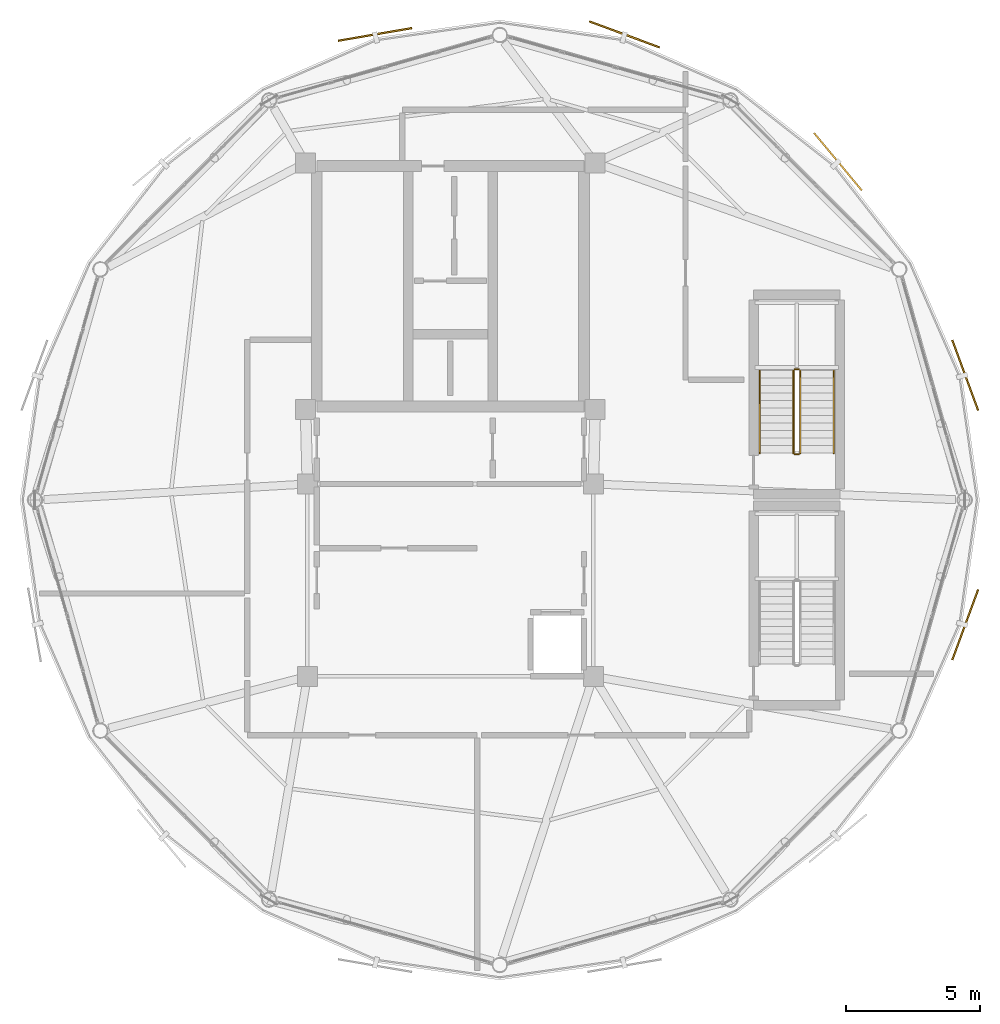
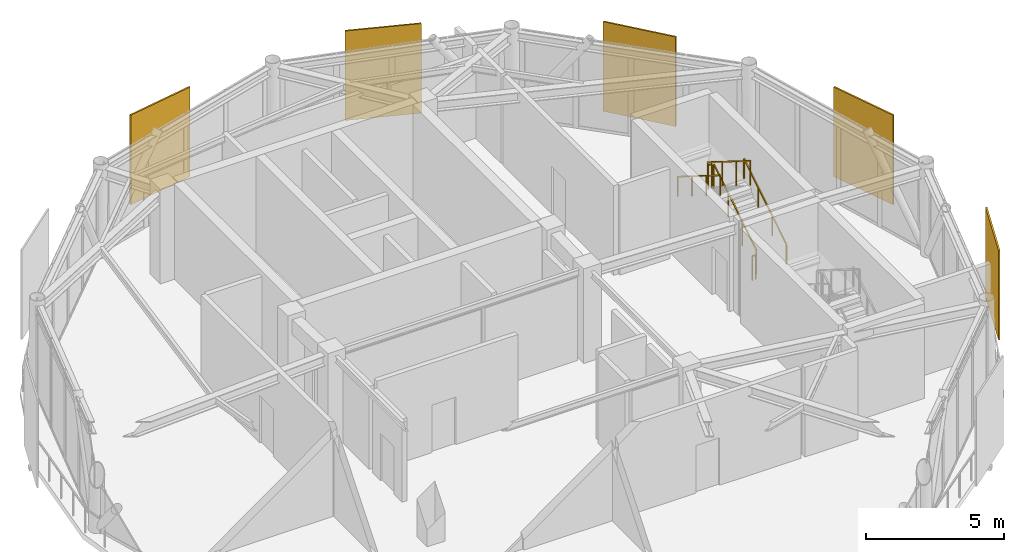
# One storey, part 20 of 20: 6 railings, 5 shading devices.
"""IFC4 building model written with IfcOpenShell, lengths in metres."""

from ifc_helpers import new_model, si_unit, direction, frame, origin, origin_2d, place, context, subcontext, project, spatial, rectangle, extrude, source, transform, mapped, material, type_object, type_shapes, element, save


model = new_model("IFC4")

# Units and contexts
model_context = context("Model", 3, precision=1e-05, world=origin(), true_north=direction((0.0, 1.0)))
body_context = subcontext(model_context, "Body", "Model", "MODEL_VIEW")
ifc_project = project(units=[si_unit("LENGTHUNIT", "METRE"), si_unit("AREAUNIT", "SQUARE_METRE"), si_unit("VOLUMEUNIT", "CUBIC_METRE"), si_unit("PLANEANGLEUNIT", "RADIAN"), si_unit("MASSUNIT", "GRAM", prefix="KILO")], contexts=[model_context])

# Site, building, storey
site_placement = place(None, origin())
site = spatial("IfcSite", under=ifc_project, at=site_placement, CompositionType="ELEMENT")
building_placement = place(site_placement, origin())
building = spatial("IfcBuilding", under=site, at=building_placement, Name="Varnakorn Sky Granary", CompositionType="ELEMENT")
storey_placement = place(building_placement, frame((0.0, 0.0, 306.60009765625)))
storey = spatial("IfcBuildingStorey", under=building, at=storey_placement, Name="L78", CompositionType="ELEMENT", Elevation=306.60009765625)

# Railings
ifc_material_1 = material(Name="Brushed Stainless Steel 316", Category="steel")
railing_type_1 = type_object("IfcRailingType", Name="RL-STAIR-1100", PredefinedType="GUARDRAIL", material=ifc_material_1)
railing_1_placement = place(storey_placement, frame((16.090087890625, 1.760009765625, 0.1748046875)))
element("IfcRailing", 1, at=railing_1_placement, inside=storey, type_object=railing_type_1, Name="L78 ST-C1 stair guard 1", PredefinedType="GUARDRAIL", context=body_context, shape_type="SweptSolid", body=[
    extrude(rectangle(XDim=0.048095703125, YDim=0.048095703125, at=origin_2d()), frame((0.0, 0.0, 1.076171875), z_axis=(0.0, 0.847998304005, 0.529998940003), x_axis=(-1.0, 0.0, 0.0)), (0.0, 0.0, 1.0), 3.632080078125),
    extrude(rectangle(XDim=0.0419921875, YDim=0.0419921875, at=origin_2d()), origin(), (0.0, 0.0, 1.0), 1.048095703125),
    extrude(rectangle(XDim=0.0419921875, YDim=0.0419921875, at=origin_2d()), frame((0.0, 1.026611328125, 0.6416015625)), (0.0, 0.0, 1.0), 1.048095703125),
    extrude(rectangle(XDim=0.0419921875, YDim=0.0419921875, at=origin_2d()), frame((0.0, 2.053466796875, 1.283447265625)), (0.0, 0.0, 1.0), 1.048095703125),
    extrude(rectangle(XDim=0.0419921875, YDim=0.0419921875, at=origin_2d()), frame((0.0, 3.080078125, 1.925048828125)), (0.0, 0.0, 1.0), 1.048095703125),
])
railing_2_placement = place(storey_placement, frame((16.0400390625, 4.889892578125, 2.099853515625)))
element("IfcRailing", 2, at=railing_2_placement, inside=storey, type_object=railing_type_1, Name="L78 ST-C1 stair guard 2", PredefinedType="GUARDRAIL", context=body_context, shape_type="SweptSolid", body=[
    extrude(rectangle(XDim=0.048095703125, YDim=0.048095703125, at=origin_2d()), frame((0.0, 0.0, 1.076171875), z_axis=(-1.0, 0.0, 0.0), x_axis=(0.0, -1.0, 0.0)), (0.0, 0.0, 1.0), 0.150146484375),
    extrude(rectangle(XDim=0.0419921875, YDim=0.0419921875, at=origin_2d()), origin(), (0.0, 0.0, 1.0), 1.048095703125),
    extrude(rectangle(XDim=0.0419921875, YDim=0.0419921875, at=origin_2d()), frame((-0.150146484375, 0.0, 0.0)), (0.0, 0.0, 1.0), 1.048095703125),
])
railing_3_placement = place(storey_placement, frame((15.840087890625, 4.840087890625, 2.27490234375)))
element("IfcRailing", 3, at=railing_3_placement, inside=storey, type_object=railing_type_1, Name="L78 ST-C1 stair guard 3", PredefinedType="GUARDRAIL", context=body_context, shape_type="SweptSolid", body=[
    extrude(rectangle(XDim=0.048095703125, YDim=0.048095703125, at=origin_2d()), frame((0.0, 0.0, 1.076171875), z_axis=(0.0, -0.847998304005, 0.529998940003), x_axis=(1.0, 0.0, 0.0)), (0.0, 0.0, 1.0), 3.632080078125),
    extrude(rectangle(XDim=0.0419921875, YDim=0.0419921875, at=origin_2d()), origin(), (0.0, 0.0, 1.0), 1.048095703125),
    extrude(rectangle(XDim=0.0419921875, YDim=0.0419921875, at=origin_2d()), frame((0.0, -1.026611328125, 0.6416015625)), (0.0, 0.0, 1.0), 1.048095703125),
    extrude(rectangle(XDim=0.0419921875, YDim=0.0419921875, at=origin_2d()), frame((0.0, -2.053466796875, 1.283447265625)), (0.0, 0.0, 1.0), 1.048095703125),
    extrude(rectangle(XDim=0.0419921875, YDim=0.0419921875, at=origin_2d()), frame((0.0, -3.080078125, 1.925048828125)), (0.0, 0.0, 1.0), 1.048095703125),
])
railing_4_placement = place(storey_placement, frame((16.0400390625, 1.7099609375, 0.0)))
element("IfcRailing", 4, at=railing_4_placement, inside=storey, type_object=railing_type_1, Name="L78 ST-C1 stair guard 4", PredefinedType="GUARDRAIL", context=body_context, shape_type="SweptSolid", body=[
    extrude(rectangle(XDim=0.048095703125, YDim=0.048095703125, at=origin_2d()), frame((0.0, 0.0, 1.076171875), z_axis=(-1.0, 0.0, 0.0), x_axis=(0.0, -1.0, 0.0)), (0.0, 0.0, 1.0), 0.150146484375),
    extrude(rectangle(XDim=0.0419921875, YDim=0.0419921875, at=origin_2d()), origin(), (0.0, 0.0, 1.0), 1.048095703125),
    extrude(rectangle(XDim=0.0419921875, YDim=0.0419921875, at=origin_2d()), frame((-0.150146484375, 0.0, 0.0)), (0.0, 0.0, 1.0), 1.048095703125),
])
railing_type_2 = type_object("IfcRailingType", Name="RL-STAIR-920", PredefinedType="HANDRAIL", material=ifc_material_1)
railing_5_placement = place(storey_placement, frame((17.35009765625, 1.760009765625, 0.1748046875)))
element("IfcRailing", 5, at=railing_5_placement, inside=storey, type_object=railing_type_2, Name="L78 ST-C1 stair handrail 1", PredefinedType="HANDRAIL", context=body_context, shape_type="SweptSolid", body=[
    extrude(rectangle(XDim=0.048095703125, YDim=0.048095703125, at=origin_2d()), frame((0.0, 0.0, 0.8759765625), z_axis=(0.0, 0.847998304005, 0.529998940003), x_axis=(-1.0, 0.0, 0.0)), (0.0, 0.0, 1.0), 3.632080078125),
    extrude(rectangle(XDim=0.0419921875, YDim=0.0419921875, at=origin_2d()), origin(), (0.0, 0.0, 1.0), 0.847900390625),
    extrude(rectangle(XDim=0.0419921875, YDim=0.0419921875, at=origin_2d()), frame((0.0, 1.026611328125, 0.6416015625)), (0.0, 0.0, 1.0), 0.847900390625),
    extrude(rectangle(XDim=0.0419921875, YDim=0.0419921875, at=origin_2d()), frame((0.0, 2.053466796875, 1.283447265625)), (0.0, 0.0, 1.0), 0.847900390625),
    extrude(rectangle(XDim=0.0419921875, YDim=0.0419921875, at=origin_2d()), frame((0.0, 3.080078125, 1.925048828125)), (0.0, 0.0, 1.0), 0.847900390625),
])
railing_6_placement = place(storey_placement, frame((14.580078125, 4.840087890625, 2.27490234375)))
element("IfcRailing", 6, at=railing_6_placement, inside=storey, type_object=railing_type_2, Name="L78 ST-C1 stair handrail 2", PredefinedType="HANDRAIL", context=body_context, shape_type="SweptSolid", body=[
    extrude(rectangle(XDim=0.048095703125, YDim=0.048095703125, at=origin_2d()), frame((0.0, 0.0, 0.8759765625), z_axis=(0.0, -0.847998304005, 0.529998940003), x_axis=(1.0, 0.0, 0.0)), (0.0, 0.0, 1.0), 3.632080078125),
    extrude(rectangle(XDim=0.0419921875, YDim=0.0419921875, at=origin_2d()), origin(), (0.0, 0.0, 1.0), 0.847900390625),
    extrude(rectangle(XDim=0.0419921875, YDim=0.0419921875, at=origin_2d()), frame((0.0, -1.026611328125, 0.6416015625)), (0.0, 0.0, 1.0), 0.847900390625),
    extrude(rectangle(XDim=0.0419921875, YDim=0.0419921875, at=origin_2d()), frame((0.0, -2.053466796875, 1.283447265625)), (0.0, 0.0, 1.0), 0.847900390625),
    extrude(rectangle(XDim=0.0419921875, YDim=0.0419921875, at=origin_2d()), frame((0.0, -3.080078125, 1.925048828125)), (0.0, 0.0, 1.0), 0.847900390625),
])

# Shading devices
ifc_material_2 = material(Name="Anodised Bronze Aluminium Alloy 6063-T6", Category="aluminium")
shading_device_type = type_object("IfcShadingDeviceType", Name="SH-SCR-03", PredefinedType="USERDEFINED", material=ifc_material_2)
shared_shape = source(origin(), body_context, "Body", "SweptSolid", [
    extrude(rectangle(XDim=2.800048828125, YDim=0.06494140625, at=origin_2d()), origin(), (0.0, 0.0, 1.0), 3.9599609375),
])
type_shapes(shading_device_type, [shared_shape])
for number, where, z_axis, x_axis, name in (
    (7, (22.267578125, 4.668701171875, -0.0400390625), (0.0, 0.0, 1.0), (-0.346207653221, 0.938157908271, 0.0), "Perforated Bronze Solar Screen Panel SCREEN L78-01"),
    (8, (17.505126953125, 12.659912109375, -0.0400390625), (0.0, 0.0, 1.0), (-0.639589829289, 0.768716365293, 0.0), "Perforated Bronze Solar Screen Panel SCREEN L78-02"),
    (9, (9.51708984375, 17.42431640625, -0.0400390625), (0.0, 0.0, 1.0), (-0.938225451928, 0.34602456756, 0.0), "Perforated Bronze Solar Screen Panel SCREEN L78-03"),
    (10, (0.18310546875, 17.42431640625, -0.0400390625), (0.0, 0.0, 1.0), (-0.985572748912, -0.169252345929, 0.0), "Perforated Bronze Solar Screen Panel SCREEN L78-04"),
    (11, (22.267578125, -4.668701171875, -0.0400390625), (0.0, 0.0, 1.0), (0.346207653221, 0.938157908271, 0.0), "Perforated Bronze Solar Screen Panel SCREEN L78-12"),
):
    element("IfcShadingDevice", number, at=place(storey_placement, frame(where, z_axis=z_axis, x_axis=x_axis)), inside=storey, type_object=shading_device_type, Name=name, ObjectType="SCREEN", PredefinedType="USERDEFINED", context=body_context, shape_type="MappedRepresentation", body=[
        mapped(shared_shape, transform((0.0, 0.0, 0.0), x_axis=(1.0, 0.0, 0.0), y_axis=(0.0, 1.0, 0.0), z_axis=(0.0, 0.0, 1.0), scale=1.0)),
    ])

save(model, "model.ifc")
